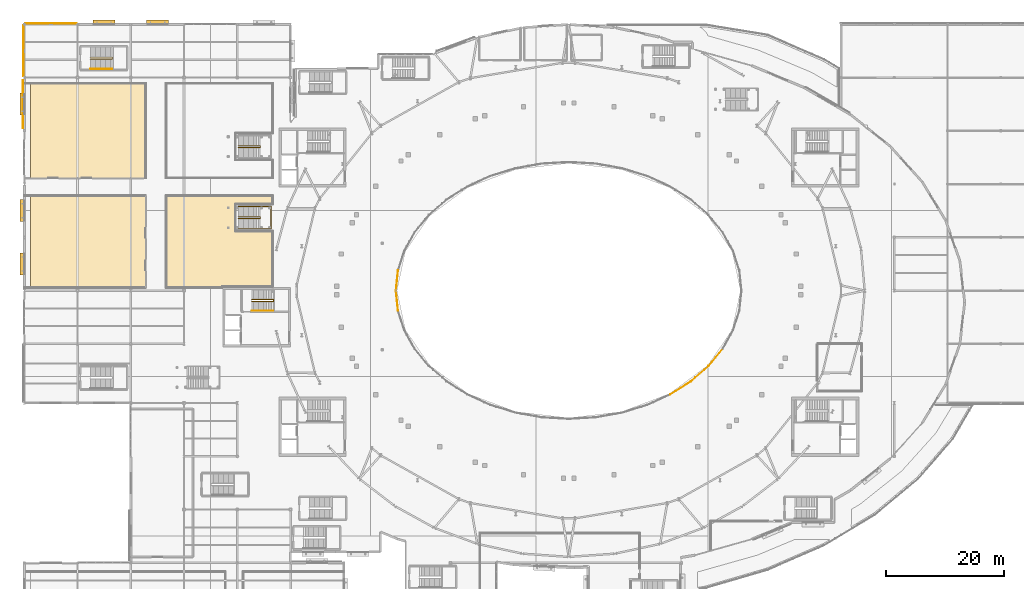
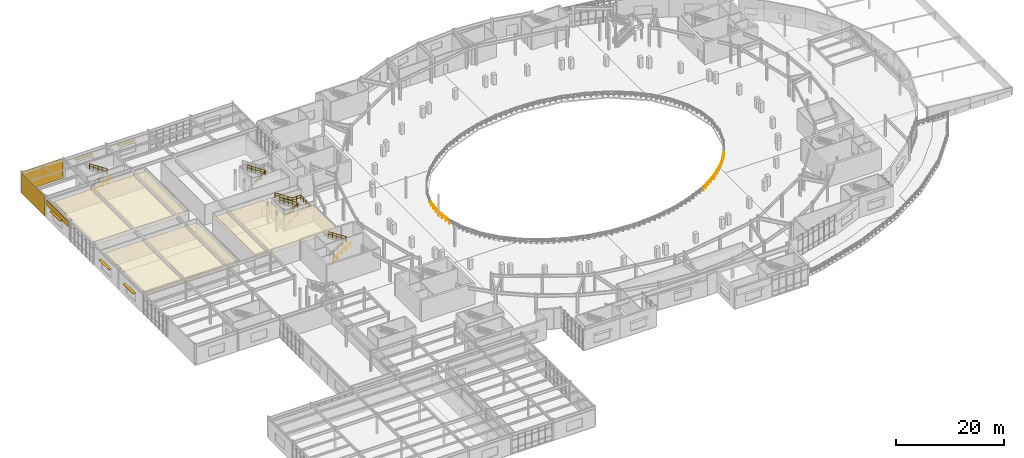
# One storey, part 80 of 84: 12 railings, 6 coverings, 5 shading devices.
"""IFC4 building model written with IfcOpenShell, lengths in metres."""

import ifcopenshell
import ifcopenshell.guid

model = None  # the IFC model being written
_history = None  # IfcOwnerHistory: only IFC2X3 demands one
_inside = {}  # id of a spatial element -> (the spatial element, [elements in it])
_under = {}  # id of a project, library or spatial element -> (it, [spatial elements below it])
_declared = {}  # id of a project -> (the project, [libraries it declares])
_typed = {}  # id of a type object -> (the type object, [elements of that type])
_made_of = {}  # id of a material, layer set ... -> (it, [elements and type objects made of it])


def new_model(schema):
    """Start an empty IFC model of exactly this schema.

    Asked for "IFC4X3", IfcOpenShell would pick the latest addendum, in which some entities
    have other attributes; the version numbers below select the first issue.
    IFC2X3 requires an IfcOwnerHistory on every rooted entity: one is made here for all.
    """
    global model, _history
    if schema == "IFC4X3":
        model = ifcopenshell.file(schema_version=(4, 3, 0, 0))
    else:
        model = ifcopenshell.file(schema=schema)
    _inside.clear()
    _under.clear()
    _declared.clear()
    _typed.clear()
    _made_of.clear()
    _history = None
    if model.schema == "IFC2X3":
        org = make("IfcOrganization", Name="unknown")
        user = make(
            "IfcPersonAndOrganization",
            ThePerson=make("IfcPerson", FamilyName="unknown"),
            TheOrganization=org,
        )
        app = make(
            "IfcApplication",
            ApplicationDeveloper=org,
            Version="unknown",
            ApplicationFullName="unknown",
            ApplicationIdentifier="unknown",
        )
        _history = make(
            "IfcOwnerHistory",
            OwningUser=user,
            OwningApplication=app,
            ChangeAction="ADDED",
            CreationDate=0,
        )
    return model


def make(cls, **values):
    """One entity of the class cls with the attributes given. An attribute that is None is left unset."""
    return model.create_entity(
        cls, **{name: value for name, value in values.items() if value is not None}
    )


def rooted(cls, **values):
    """An entity with a GlobalId (a new one), such as an element, a storey or a relation."""
    return make(cls, GlobalId=ifcopenshell.guid.new(), OwnerHistory=_history, **values)


def si_unit(unit_type, name, prefix=None):
    """IfcSIUnit, for example si_unit("LENGTHUNIT", "METRE", prefix="MILLI")."""
    return make("IfcSIUnit", UnitType=unit_type, Prefix=prefix, Name=name)


def assignment(units):
    """IfcUnitAssignment: the units of a project."""
    return None if units is None else make("IfcUnitAssignment", Units=units)


def point(xyz):
    """IfcCartesianPoint."""
    return None if xyz is None else make("IfcCartesianPoint", Coordinates=xyz)


def direction(xyz):
    """IfcDirection."""
    return None if xyz is None else make("IfcDirection", DirectionRatios=xyz)


def frame(location, z_axis=None, x_axis=None):
    """IfcAxis2Placement3D, a coordinate frame: its origin and axes. An axis left out is left unset."""
    return make(
        "IfcAxis2Placement3D",
        Location=point(location),
        Axis=direction(z_axis),
        RefDirection=direction(x_axis),
    )


def frame_2d(location, x_axis=None):
    """IfcAxis2Placement2D, a coordinate frame in the plane: its origin and x axis."""
    return make(
        "IfcAxis2Placement2D", Location=point(location), RefDirection=direction(x_axis)
    )


def origin():
    """The frame at (0, 0, 0) with its axes left unset."""
    return frame((0.0, 0.0, 0.0))


def origin_2d():
    """The frame at (0, 0) in the plane with its x axis left unset."""
    return frame_2d((0.0, 0.0))


def place(relative_to, where):
    """IfcLocalPlacement: puts the frame where relative to a parent placement (None: the world)."""
    return make(
        "IfcLocalPlacement", PlacementRelTo=relative_to, RelativePlacement=where
    )


def context(
    kind, dimensions, precision=None, world=None, true_north=None, identifier=None
):
    """IfcGeometricRepresentationContext, for example the 3D "Model" context."""
    return make(
        "IfcGeometricRepresentationContext",
        ContextIdentifier=identifier,
        ContextType=kind,
        CoordinateSpaceDimension=dimensions,
        Precision=precision,
        WorldCoordinateSystem=world,
        TrueNorth=true_north,
    )


def subcontext(parent, identifier, kind, view, scale=None):
    """IfcGeometricRepresentationSubContext, for example "Body" below "Model"."""
    return make(
        "IfcGeometricRepresentationSubContext",
        ContextIdentifier=identifier,
        ContextType=kind,
        ParentContext=parent,
        TargetScale=scale,
        TargetView=view,
    )


def project(units=None, contexts=None):
    """IfcProject with its units and contexts."""
    return rooted(
        "IfcProject",
        Name="project",
        RepresentationContexts=contexts,
        UnitsInContext=assignment(units),
    )


def spatial(cls, under=None, at=None, **own):
    """A site, building, storey or space (cls), placed at a placement, below another one or the project."""
    s = rooted(cls, ObjectPlacement=at, **own)
    if under is not None:
        _under.setdefault(under.id(), (under, []))[1].append(s)
    return s


def polyline(points):
    """IfcPolyline through the points."""
    return make("IfcPolyline", Points=[point(p) for p in points])


def profile(cls, at=None, kind="AREA", **sizes):
    """A parametric profile (cls). Its sizes go by their IFC names, for example OverallWidth=200.0."""
    return make(cls, ProfileType=kind, Position=at, **sizes)


def rectangle(**sizes):
    """IfcRectangleProfileDef."""
    return profile("IfcRectangleProfileDef", **sizes)


def circle(**sizes):
    """IfcCircleProfileDef."""
    return profile("IfcCircleProfileDef", **sizes)


def outline(outer, holes=None, kind="AREA"):
    """IfcArbitraryClosedProfileDef: a profile drawn as a closed curve; with holes, ...WithVoids."""
    if holes is None:
        return make("IfcArbitraryClosedProfileDef", ProfileType=kind, OuterCurve=outer)
    return make(
        "IfcArbitraryProfileDefWithVoids",
        ProfileType=kind,
        OuterCurve=outer,
        InnerCurves=holes,
    )


def extrude(swept, where, along, depth):
    """IfcExtrudedAreaSolid: the profile swept, set in the frame where, extruded along a direction by depth."""
    return make(
        "IfcExtrudedAreaSolid",
        SweptArea=swept,
        Position=where,
        ExtrudedDirection=direction(along),
        Depth=depth,
    )


def shape(context_of_items, identifier, shape_type, items):
    """IfcShapeRepresentation: the items that make up one representation, for example the "Body"."""
    return make(
        "IfcShapeRepresentation",
        ContextOfItems=context_of_items,
        RepresentationIdentifier=identifier,
        RepresentationType=shape_type,
        Items=items,
    )


def material(Name=None, Category=None):
    """IfcMaterial."""
    return make("IfcMaterial", Name=Name, Category=Category)


def layer(
    of_material, thickness, ventilated=None, Name=None, Category=None, Priority=None
):
    """IfcMaterialLayer: one layer of a wall or slab, of a material (None: an air gap)."""
    return make(
        "IfcMaterialLayer",
        Material=of_material,
        LayerThickness=thickness,
        IsVentilated=ventilated,
        Name=Name,
        Category=Category,
        Priority=Priority,
    )


def layer_set(layers, Name=None):
    """IfcMaterialLayerSet."""
    return make("IfcMaterialLayerSet", MaterialLayers=layers, LayerSetName=Name)


def made_of(thing, what):
    """Note that an element or type object is made of a material, layer set ...; save() writes the relation."""
    if what is not None:
        _made_of.setdefault(what.id(), (what, []))[1].append(thing)
    return thing


def type_object(cls, material=None, **own):
    """A type object (cls), such as IfcWallType, which elements share."""
    return made_of(rooted(cls, **own), material)


def element(
    cls,
    number,
    at=None,
    inside=None,
    cuts=None,
    type_object=None,
    material=None,
    context=None,
    identifier="Body",
    shape_type=None,
    held_by="IfcProductDefinitionShape",
    body=None,
    shapes=None,
    **own,
):
    """One element of the class cls, such as IfcWall. Its Tag is "e" and its number.

    at: its placement. inside: the storey or other place that contains it. cuts: it is an
    opening in that element (IfcRelVoidsElement). A single representation is given by context,
    identifier, shape_type and body (its items); several are given by shapes. held_by: the class
    of the entity that holds the representations. save() writes the other relations.
    """
    e = rooted(cls, Tag="e%d" % number, ObjectPlacement=at, **own)
    if body is not None:
        shapes = [shape(context, identifier, shape_type, body)]
    if shapes is not None:
        e.Representation = make(held_by, Representations=shapes)
    if inside is not None:
        _inside.setdefault(inside.id(), (inside, []))[1].append(e)
    if cuts is not None:
        rooted(
            "IfcRelVoidsElement", RelatingBuildingElement=cuts, RelatedOpeningElement=e
        )
    if type_object is not None:
        _typed.setdefault(type_object.id(), (type_object, []))[1].append(e)
    return made_of(e, material)


def aggregate(whole, parts):
    """IfcRelAggregates: a whole, such as a stair, and the parts it consists of."""
    return rooted("IfcRelAggregates", RelatingObject=whole, RelatedObjects=parts)


def save(model, path):
    """Write the relations noted so far, then the file.

    IfcRelAggregates (storeys below a building ...), IfcRelContainedInSpatialStructure (elements
    in a storey), IfcRelDefinesByType, IfcRelAssociatesMaterial and IfcRelDeclares: one each for
    every whole, place, type object, material and project.
    """
    for whole, parts in _under.values():
        aggregate(whole, parts)
    for where, things in _inside.values():
        rooted(
            "IfcRelContainedInSpatialStructure",
            RelatedElements=things,
            RelatingStructure=where,
        )
    for kind, things in _typed.values():
        rooted("IfcRelDefinesByType", RelatedObjects=things, RelatingType=kind)
    for what, things in _made_of.values():
        rooted("IfcRelAssociatesMaterial", RelatedObjects=things, RelatingMaterial=what)
    for by, libraries in _declared.values():
        rooted("IfcRelDeclares", RelatingContext=by, RelatedDefinitions=libraries)
    model.write(path)


model = new_model("IFC4")

# Units and contexts
model_context = context("Model", 3, precision=1e-05, world=origin(), true_north=direction((0.0, 1.0)))
body_context = subcontext(model_context, "Body", "Model", "MODEL_VIEW")
ifc_project = project(units=[si_unit("LENGTHUNIT", "METRE"), si_unit("AREAUNIT", "SQUARE_METRE"), si_unit("VOLUMEUNIT", "CUBIC_METRE"), si_unit("PLANEANGLEUNIT", "RADIAN"), si_unit("MASSUNIT", "GRAM", prefix="KILO")], contexts=[model_context])

# Site, building, storey
site_placement = place(None, origin())
site = spatial("IfcSite", under=ifc_project, at=site_placement, CompositionType="ELEMENT")
building_placement = place(site_placement, origin())
building = spatial("IfcBuilding", under=site, at=building_placement, Name="Glasvene Arena", CompositionType="ELEMENT")
storey_placement = place(building_placement, frame((0.0, 0.0, 10.199951171875)))
storey = spatial("IfcBuildingStorey", under=building, at=storey_placement, Name="L02", CompositionType="ELEMENT", Elevation=10.199951171875)

# Coverings
ifc_material_1 = material(Name="Perforated acoustic mineral ceiling tile")
ifc_layer_1 = layer(ifc_material_1, 0.0400390625)
ifc_layer_set_1 = layer_set([ifc_layer_1], Name="Perforated acoustic mineral ceiling tile")
covering_type_1 = type_object("IfcCoveringType", Name="COV-CEIL-AC", PredefinedType="CEILING", material=ifc_layer_set_1)
covering_1_placement = place(storey_placement, frame((10.75, 81.25, 3.580078125)))
element("IfcCovering", 1, at=covering_1_placement, inside=storey, type_object=covering_type_1, Name="Acoustic suspended ceiling Community Learning Classroom 1", PredefinedType="CEILING", context=body_context, shape_type="SweptSolid", body=[
    extrude(outline(polyline([(9.72998046875, 7.72998046875), (9.72998046875, -7.72998046875), (-9.72998046875, -7.72998046875), (-9.72998046875, 7.72998046875), (9.72998046875, 7.72998046875)])), origin(), (0.0, 0.0, 1.0), 0.0400390625),
])
covering_2_placement = place(storey_placement, frame((35.33642578125, 81.826416015625, 3.580078125)))
element("IfcCovering", 2, at=covering_2_placement, inside=storey, type_object=covering_type_1, Name="Acoustic suspended ceiling Community Learning Classroom 2", PredefinedType="CEILING", context=body_context, shape_type="SweptSolid", body=[
    extrude(outline(polyline([(-11.31640625, -8.306396484375), (-11.31640625, 7.153564453125), (6.6435546875, 7.153564453125), (6.6435546875, 5.793701171875), (0.363525390625, 5.793701171875), (0.349365234375, 5.78759765625), (0.343505859375, 5.773681640625), (0.343505859375, 1.2236328125), (0.3525390625, 1.20703125), (6.6435546875, 1.20361328125), (6.6435546875, -8.156494140625), (-1.886474609375, -8.156494140625), (-1.90185546875, -8.163818359375), (-1.906494140625, -8.306396484375), (-11.31640625, -8.306396484375)])), origin(), (0.0, 0.0, 1.0), 0.0400390625),
])
covering_3_placement = place(storey_placement, frame((10.75, 100.0, 3.580078125)))
element("IfcCovering", 3, at=covering_3_placement, inside=storey, type_object=covering_type_1, Name="Acoustic suspended ceiling Community Digital Media Lab", PredefinedType="CEILING", context=body_context, shape_type="SweptSolid", body=[
    extrude(outline(polyline([(9.72998046875, 7.97998046875), (9.72998046875, -7.97998046875), (-9.72998046875, -7.97998046875), (-9.72998046875, 7.97998046875), (9.72998046875, 7.97998046875)])), origin(), (0.0, 0.0, 1.0), 0.0400390625),
])
ifc_material_2 = material(Name="Coursed pale Irish limestone", Category="masonry")
ifc_layer_2 = layer(ifc_material_2, 0.050048828125)
ifc_layer_set_2 = layer_set([ifc_layer_2], Name="Coursed pale Irish limestone")
covering_type_2 = type_object("IfcCoveringType", Name="COV-CLAD-LIM", PredefinedType="CLADDING", material=ifc_layer_set_2)
covering_4_placement = place(storey_placement, frame((-0.199951171875, 104.501708984375, 2.9501953125), z_axis=(0.0, 0.0, 1.0), x_axis=(0.0, 1.0, 0.0)))
element("IfcCovering", 4, at=covering_4_placement, inside=storey, type_object=covering_type_2, Name="Irish limestone spandrel cladding EW-L02-0123", PredefinedType="CLADDING", context=body_context, shape_type="SweptSolid", body=[
    extrude(rectangle(XDim=8.0927734375, YDim=0.050048828125, at=origin_2d()), origin(), (0.0, 0.0, 1.0), 1.215087890625),
])
covering_5_placement = place(storey_placement, frame((-0.139892578125, 113.498291015625, 0.0), z_axis=(0.0, 0.0, 1.0), x_axis=(0.0, 1.0, 0.0)))
element("IfcCovering", 5, at=covering_5_placement, inside=storey, type_object=covering_type_2, Name="Braced bay architectural cladding screen L02-006", PredefinedType="CLADDING", context=body_context, shape_type="SweptSolid", body=[
    extrude(rectangle(XDim=8.6328125, YDim=0.050048828125, at=origin_2d()), origin(), (0.0, 0.0, 1.0), 4.52001953125),
])
covering_6_placement = place(storey_placement, frame((4.526611328125, 118.139892578125, 0.0), z_axis=(0.0, 0.0, 1.0), x_axis=(1.0, 0.0, 0.0)))
element("IfcCovering", 6, at=covering_6_placement, inside=storey, type_object=covering_type_2, Name="Braced bay architectural cladding screen L02-007", PredefinedType="CLADDING", context=body_context, shape_type="SweptSolid", body=[
    extrude(rectangle(XDim=8.682861328125, YDim=0.050048828125, at=origin_2d()), origin(), (0.0, 0.0, 1.0), 4.52001953125),
])

# Railings
ifc_material_3 = material(Name="Brushed stainless steel", Category="steel")
railing_type_1 = type_object("IfcRailingType", Name="RL-GUARD-1100", PredefinedType="GUARDRAIL", material=ifc_material_3)
railing_1_placement = place(storey_placement, frame((38.449951171875, 71.159912109375, 0.0)))
element("IfcRailing", 7, at=railing_1_placement, inside=storey, type_object=railing_type_1, Name="Stair inner well continuous guardrail ST-07-L02", PredefinedType="GUARDRAIL", context=body_context, shape_type="SweptSolid", body=[
    extrude(circle(Radius=0.02392578125, at=origin_2d()), frame((0.0, 0.0, 1.076171875), z_axis=(0.837590697589, 0.0, 0.546298291515), x_axis=(0.0, 1.0, 0.0)), (0.0, 0.0, 1.0), 4.3935546875),
    extrude(circle(Radius=0.01611328125, at=origin_2d()), frame((0.0, 0.0, 0.550048828125), z_axis=(0.837590697589, 0.0, 0.546298291515), x_axis=(0.0, 1.0, 0.0)), (0.0, 0.0, 1.0), 4.3935546875),
    extrude(circle(Radius=0.02392578125, at=origin_2d()), frame((3.679931640625, 0.0, 3.47607421875), z_axis=(0.0, 1.0, 0.0), x_axis=(-1.0, 0.0, 0.0)), (0.0, 0.0, 1.0), 0.330078125),
    extrude(circle(Radius=0.01611328125, at=origin_2d()), frame((3.679931640625, 0.0, 2.9501953125), z_axis=(0.0, 1.0, 0.0), x_axis=(-1.0, 0.0, 0.0)), (0.0, 0.0, 1.0), 0.330078125),
    extrude(circle(Radius=0.02392578125, at=origin_2d()), frame((3.679931640625, 0.330078125, 3.47607421875), z_axis=(-0.837616124378, 0.0, 0.546259304892), x_axis=(0.0, -1.0, 0.0)), (0.0, 0.0, 1.0), 4.393310546875),
    extrude(circle(Radius=0.01611328125, at=origin_2d()), frame((3.679931640625, 0.330078125, 2.9501953125), z_axis=(-0.837616124378, 0.0, 0.546259304892), x_axis=(0.0, -1.0, 0.0)), (0.0, 0.0, 1.0), 4.393310546875),
    extrude(circle(Radius=0.02099609375, at=origin_2d()), origin(), (0.0, 0.0, 1.0), 1.052001953125),
    extrude(circle(Radius=0.02099609375, at=origin_2d()), frame((0.919921875, 0.0, 0.60009765625)), (0.0, 0.0, 1.0), 1.052001953125),
    extrude(circle(Radius=0.02099609375, at=origin_2d()), frame((1.83984375, 0.0, 1.2001953125)), (0.0, 0.0, 1.0), 1.052001953125),
    extrude(circle(Radius=0.02099609375, at=origin_2d()), frame((2.760009765625, 0.0, 1.800048828125)), (0.0, 0.0, 1.0), 1.052001953125),
    extrude(circle(Radius=0.02099609375, at=origin_2d()), frame((3.679931640625, 0.0, 2.400146484375)), (0.0, 0.0, 1.0), 1.052001953125),
    extrude(circle(Radius=0.02099609375, at=origin_2d()), frame((3.679931640625, 0.330078125, 2.400146484375)), (0.0, 0.0, 1.0), 1.052001953125),
    extrude(circle(Radius=0.02099609375, at=origin_2d()), frame((2.760009765625, 0.330078125, 3.0)), (0.0, 0.0, 1.0), 1.052001953125),
    extrude(circle(Radius=0.02099609375, at=origin_2d()), frame((1.83984375, 0.330078125, 3.60009765625)), (0.0, 0.0, 1.0), 1.052001953125),
    extrude(circle(Radius=0.02099609375, at=origin_2d()), frame((0.919921875, 0.330078125, 4.2001953125)), (0.0, 0.0, 1.0), 1.052001953125),
    extrude(circle(Radius=0.02099609375, at=origin_2d()), frame((0.0, 0.330078125, 4.800048828125)), (0.0, 0.0, 1.0), 1.052001953125),
])
railing_2_placement = place(storey_placement, frame((11.199951171875, 112.110107421875, 0.0)))
element("IfcRailing", 8, at=railing_2_placement, inside=storey, type_object=railing_type_1, Name="Stair inner well continuous guardrail ST-14-L02", PredefinedType="GUARDRAIL", context=body_context, shape_type="SweptSolid", body=[
    extrude(circle(Radius=0.02392578125, at=origin_2d()), frame((0.0, 0.0, 1.076171875), z_axis=(0.837590697589, 0.0, 0.546298291515), x_axis=(0.0, 1.0, 0.0)), (0.0, 0.0, 1.0), 4.3935546875),
    extrude(circle(Radius=0.01611328125, at=origin_2d()), frame((0.0, 0.0, 0.550048828125), z_axis=(0.837590697589, 0.0, 0.546298291515), x_axis=(0.0, 1.0, 0.0)), (0.0, 0.0, 1.0), 4.3935546875),
    extrude(circle(Radius=0.02392578125, at=origin_2d()), frame((3.679931640625, 0.0, 3.47607421875), z_axis=(0.0, 1.0, 0.0), x_axis=(-1.0, 0.0, 0.0)), (0.0, 0.0, 1.0), 0.329833984375),
    extrude(circle(Radius=0.01611328125, at=origin_2d()), frame((3.679931640625, 0.0, 2.9501953125), z_axis=(0.0, 1.0, 0.0), x_axis=(-1.0, 0.0, 0.0)), (0.0, 0.0, 1.0), 0.329833984375),
    extrude(circle(Radius=0.02392578125, at=origin_2d()), frame((3.679931640625, 0.329833984375, 3.47607421875), z_axis=(-0.837616124378, 0.0, 0.546259304892), x_axis=(0.0, -1.0, 0.0)), (0.0, 0.0, 1.0), 4.393310546875),
    extrude(circle(Radius=0.01611328125, at=origin_2d()), frame((3.679931640625, 0.329833984375, 2.9501953125), z_axis=(-0.837616124378, 0.0, 0.546259304892), x_axis=(0.0, -1.0, 0.0)), (0.0, 0.0, 1.0), 4.393310546875),
    extrude(circle(Radius=0.02099609375, at=origin_2d()), origin(), (0.0, 0.0, 1.0), 1.052001953125),
    extrude(circle(Radius=0.02099609375, at=origin_2d()), frame((0.919921875, 0.0, 0.60009765625)), (0.0, 0.0, 1.0), 1.052001953125),
    extrude(circle(Radius=0.02099609375, at=origin_2d()), frame((1.83984375, 0.0, 1.2001953125)), (0.0, 0.0, 1.0), 1.052001953125),
    extrude(circle(Radius=0.02099609375, at=origin_2d()), frame((2.760009765625, 0.0, 1.800048828125)), (0.0, 0.0, 1.0), 1.052001953125),
    extrude(circle(Radius=0.02099609375, at=origin_2d()), frame((3.679931640625, 0.0, 2.400146484375)), (0.0, 0.0, 1.0), 1.052001953125),
    extrude(circle(Radius=0.02099609375, at=origin_2d()), frame((3.679931640625, 0.329833984375, 2.400146484375)), (0.0, 0.0, 1.0), 1.052001953125),
    extrude(circle(Radius=0.02099609375, at=origin_2d()), frame((2.760009765625, 0.329833984375, 3.0)), (0.0, 0.0, 1.0), 1.052001953125),
    extrude(circle(Radius=0.02099609375, at=origin_2d()), frame((1.83984375, 0.329833984375, 3.60009765625)), (0.0, 0.0, 1.0), 1.052001953125),
    extrude(circle(Radius=0.02099609375, at=origin_2d()), frame((0.919921875, 0.329833984375, 4.2001953125)), (0.0, 0.0, 1.0), 1.052001953125),
    extrude(circle(Radius=0.02099609375, at=origin_2d()), frame((0.0, 0.329833984375, 4.800048828125)), (0.0, 0.0, 1.0), 1.052001953125),
])
railing_3_placement = place(storey_placement, frame((36.199951171875, 97.159912109375, 0.0)))
element("IfcRailing", 9, at=railing_3_placement, inside=storey, type_object=railing_type_1, Name="Vomitory Stair inner well guard VOM-06", PredefinedType="GUARDRAIL", context=body_context, shape_type="SweptSolid", body=[
    extrude(circle(Radius=0.02392578125, at=origin_2d()), frame((0.0, 0.0, 1.076171875), z_axis=(0.837590697589, 0.0, 0.546298291515), x_axis=(0.0, 1.0, 0.0)), (0.0, 0.0, 1.0), 4.3935546875),
    extrude(circle(Radius=0.01611328125, at=origin_2d()), frame((0.0, 0.0, 0.550048828125), z_axis=(0.837590697589, 0.0, 0.546298291515), x_axis=(0.0, 1.0, 0.0)), (0.0, 0.0, 1.0), 4.3935546875),
    extrude(circle(Radius=0.02392578125, at=origin_2d()), frame((3.679931640625, 0.0, 3.47607421875), z_axis=(0.0, 1.0, 0.0), x_axis=(-1.0, 0.0, 0.0)), (0.0, 0.0, 1.0), 0.330078125),
    extrude(circle(Radius=0.01611328125, at=origin_2d()), frame((3.679931640625, 0.0, 2.9501953125), z_axis=(0.0, 1.0, 0.0), x_axis=(-1.0, 0.0, 0.0)), (0.0, 0.0, 1.0), 0.330078125),
    extrude(circle(Radius=0.02392578125, at=origin_2d()), frame((3.679931640625, 0.330078125, 3.47607421875), z_axis=(-0.837616124378, 0.0, 0.546259304892), x_axis=(0.0, -1.0, 0.0)), (0.0, 0.0, 1.0), 4.393310546875),
    extrude(circle(Radius=0.01611328125, at=origin_2d()), frame((3.679931640625, 0.330078125, 2.9501953125), z_axis=(-0.837616124378, 0.0, 0.546259304892), x_axis=(0.0, -1.0, 0.0)), (0.0, 0.0, 1.0), 4.393310546875),
    extrude(circle(Radius=0.02099609375, at=origin_2d()), origin(), (0.0, 0.0, 1.0), 1.052001953125),
    extrude(circle(Radius=0.02099609375, at=origin_2d()), frame((0.919921875, 0.0, 0.60009765625)), (0.0, 0.0, 1.0), 1.052001953125),
    extrude(circle(Radius=0.02099609375, at=origin_2d()), frame((1.83984375, 0.0, 1.2001953125)), (0.0, 0.0, 1.0), 1.052001953125),
    extrude(circle(Radius=0.02099609375, at=origin_2d()), frame((2.760009765625, 0.0, 1.800048828125)), (0.0, 0.0, 1.0), 1.052001953125),
    extrude(circle(Radius=0.02099609375, at=origin_2d()), frame((3.679931640625, 0.0, 2.400146484375)), (0.0, 0.0, 1.0), 1.052001953125),
    extrude(circle(Radius=0.02099609375, at=origin_2d()), frame((3.679931640625, 0.330078125, 2.400146484375)), (0.0, 0.0, 1.0), 1.052001953125),
    extrude(circle(Radius=0.02099609375, at=origin_2d()), frame((2.760009765625, 0.330078125, 3.0)), (0.0, 0.0, 1.0), 1.052001953125),
    extrude(circle(Radius=0.02099609375, at=origin_2d()), frame((1.83984375, 0.330078125, 3.60009765625)), (0.0, 0.0, 1.0), 1.052001953125),
    extrude(circle(Radius=0.02099609375, at=origin_2d()), frame((0.919921875, 0.330078125, 4.2001953125)), (0.0, 0.0, 1.0), 1.052001953125),
    extrude(circle(Radius=0.02099609375, at=origin_2d()), frame((0.0, 0.330078125, 4.800048828125)), (0.0, 0.0, 1.0), 1.052001953125),
])
railing_4_placement = place(storey_placement, frame((36.199951171875, 83.449951171875, 0.0)))
element("IfcRailing", 10, at=railing_4_placement, inside=storey, type_object=railing_type_1, Name="Vomitory Stair outer guard VOM-07", PredefinedType="GUARDRAIL", context=body_context, shape_type="SweptSolid", body=[
    extrude(circle(Radius=0.02392578125, at=origin_2d()), frame((0.0, 0.0, 1.076171875), z_axis=(0.834856447115, 0.0, 0.55046772177), x_axis=(0.0, 1.0, 0.0)), (0.0, 0.0, 1.0), 4.360107421875),
    extrude(circle(Radius=0.01611328125, at=origin_2d()), frame((0.0, 0.0, 0.550048828125), z_axis=(0.834856447115, 0.0, 0.55046772177), x_axis=(0.0, 1.0, 0.0)), (0.0, 0.0, 1.0), 4.360107421875),
    extrude(circle(Radius=0.02392578125, at=origin_2d()), frame((3.64013671875, 0.0, 3.47607421875), z_axis=(1.0, 0.0, 0.0), x_axis=(0.0, 1.0, 0.0)), (0.0, 0.0, 1.0), 1.849853515625),
    extrude(circle(Radius=0.01611328125, at=origin_2d()), frame((3.64013671875, 0.0, 2.9501953125), z_axis=(1.0, 0.0, 0.0), x_axis=(0.0, 1.0, 0.0)), (0.0, 0.0, 1.0), 1.849853515625),
    extrude(circle(Radius=0.02392578125, at=origin_2d()), frame((5.489990234375, 0.0, 3.47607421875), z_axis=(0.0, 1.0, 0.0), x_axis=(-1.0, 0.0, 0.0)), (0.0, 0.0, 1.0), 3.75),
    extrude(circle(Radius=0.01611328125, at=origin_2d()), frame((5.489990234375, 0.0, 2.9501953125), z_axis=(0.0, 1.0, 0.0), x_axis=(-1.0, 0.0, 0.0)), (0.0, 0.0, 1.0), 3.75),
    extrude(circle(Radius=0.02392578125, at=origin_2d()), frame((5.489990234375, 3.75, 3.47607421875), z_axis=(-1.0, 0.0, 0.0), x_axis=(0.0, -1.0, 0.0)), (0.0, 0.0, 1.0), 1.849853515625),
    extrude(circle(Radius=0.01611328125, at=origin_2d()), frame((5.489990234375, 3.75, 2.9501953125), z_axis=(-1.0, 0.0, 0.0), x_axis=(0.0, -1.0, 0.0)), (0.0, 0.0, 1.0), 1.849853515625),
    extrude(circle(Radius=0.02392578125, at=origin_2d()), frame((3.64013671875, 3.75, 3.47607421875), z_axis=(-0.83488217925, 0.0, 0.55042869363), x_axis=(0.0, -1.0, 0.0)), (0.0, 0.0, 1.0), 4.360107421875),
    extrude(circle(Radius=0.01611328125, at=origin_2d()), frame((3.64013671875, 3.75, 2.9501953125), z_axis=(-0.83488217925, 0.0, 0.55042869363), x_axis=(0.0, -1.0, 0.0)), (0.0, 0.0, 1.0), 4.360107421875),
    extrude(circle(Radius=0.02099609375, at=origin_2d()), origin(), (0.0, 0.0, 1.0), 1.052001953125),
    extrude(circle(Radius=0.02099609375, at=origin_2d()), frame((0.91015625, 0.0, 0.60009765625)), (0.0, 0.0, 1.0), 1.052001953125),
    extrude(circle(Radius=0.02099609375, at=origin_2d()), frame((1.820068359375, 0.0, 1.2001953125)), (0.0, 0.0, 1.0), 1.052001953125),
    extrude(circle(Radius=0.02099609375, at=origin_2d()), frame((2.72998046875, 0.0, 1.800048828125)), (0.0, 0.0, 1.0), 1.052001953125),
    extrude(circle(Radius=0.02099609375, at=origin_2d()), frame((3.64013671875, 0.0, 2.400146484375)), (0.0, 0.0, 1.0), 1.052001953125),
    extrude(circle(Radius=0.02099609375, at=origin_2d()), frame((4.56494140625, 0.0, 2.400146484375)), (0.0, 0.0, 1.0), 1.052001953125),
    extrude(circle(Radius=0.02099609375, at=origin_2d()), frame((5.489990234375, 0.0, 2.400146484375)), (0.0, 0.0, 1.0), 1.052001953125),
    extrude(circle(Radius=0.02099609375, at=origin_2d()), frame((5.489990234375, 0.9375, 2.400146484375)), (0.0, 0.0, 1.0), 1.052001953125),
    extrude(circle(Radius=0.02099609375, at=origin_2d()), frame((5.489990234375, 1.875, 2.400146484375)), (0.0, 0.0, 1.0), 1.052001953125),
    extrude(circle(Radius=0.02099609375, at=origin_2d()), frame((5.489990234375, 2.8125, 2.400146484375)), (0.0, 0.0, 1.0), 1.052001953125),
    extrude(circle(Radius=0.02099609375, at=origin_2d()), frame((5.489990234375, 3.75, 2.400146484375)), (0.0, 0.0, 1.0), 1.052001953125),
    extrude(circle(Radius=0.02099609375, at=origin_2d()), frame((4.56494140625, 3.75, 2.400146484375)), (0.0, 0.0, 1.0), 1.052001953125),
    extrude(circle(Radius=0.02099609375, at=origin_2d()), frame((3.64013671875, 3.75, 2.400146484375)), (0.0, 0.0, 1.0), 1.052001953125),
    extrude(circle(Radius=0.02099609375, at=origin_2d()), frame((2.72998046875, 3.75, 3.0)), (0.0, 0.0, 1.0), 1.052001953125),
    extrude(circle(Radius=0.02099609375, at=origin_2d()), frame((1.820068359375, 3.75, 3.60009765625)), (0.0, 0.0, 1.0), 1.052001953125),
    extrude(circle(Radius=0.02099609375, at=origin_2d()), frame((0.91015625, 3.75, 4.2001953125)), (0.0, 0.0, 1.0), 1.052001953125),
    extrude(circle(Radius=0.02099609375, at=origin_2d()), frame((0.0, 3.75, 4.800048828125)), (0.0, 0.0, 1.0), 1.052001953125),
])
railing_5_placement = place(storey_placement, frame((36.199951171875, 85.159912109375, 0.0)))
element("IfcRailing", 11, at=railing_5_placement, inside=storey, type_object=railing_type_1, Name="Vomitory Stair inner well guard VOM-07", PredefinedType="GUARDRAIL", context=body_context, shape_type="SweptSolid", body=[
    extrude(circle(Radius=0.02392578125, at=origin_2d()), frame((0.0, 0.0, 1.076171875), z_axis=(0.837590697589, 0.0, 0.546298291515), x_axis=(0.0, 1.0, 0.0)), (0.0, 0.0, 1.0), 4.3935546875),
    extrude(circle(Radius=0.01611328125, at=origin_2d()), frame((0.0, 0.0, 0.550048828125), z_axis=(0.837590697589, 0.0, 0.546298291515), x_axis=(0.0, 1.0, 0.0)), (0.0, 0.0, 1.0), 4.3935546875),
    extrude(circle(Radius=0.02392578125, at=origin_2d()), frame((3.679931640625, 0.0, 3.47607421875), z_axis=(0.0, 1.0, 0.0), x_axis=(-1.0, 0.0, 0.0)), (0.0, 0.0, 1.0), 0.330078125),
    extrude(circle(Radius=0.01611328125, at=origin_2d()), frame((3.679931640625, 0.0, 2.9501953125), z_axis=(0.0, 1.0, 0.0), x_axis=(-1.0, 0.0, 0.0)), (0.0, 0.0, 1.0), 0.330078125),
    extrude(circle(Radius=0.02392578125, at=origin_2d()), frame((3.679931640625, 0.330078125, 3.47607421875), z_axis=(-0.837616124378, 0.0, 0.546259304892), x_axis=(0.0, -1.0, 0.0)), (0.0, 0.0, 1.0), 4.393310546875),
    extrude(circle(Radius=0.01611328125, at=origin_2d()), frame((3.679931640625, 0.330078125, 2.9501953125), z_axis=(-0.837616124378, 0.0, 0.546259304892), x_axis=(0.0, -1.0, 0.0)), (0.0, 0.0, 1.0), 4.393310546875),
    extrude(circle(Radius=0.02099609375, at=origin_2d()), origin(), (0.0, 0.0, 1.0), 1.052001953125),
    extrude(circle(Radius=0.02099609375, at=origin_2d()), frame((0.919921875, 0.0, 0.60009765625)), (0.0, 0.0, 1.0), 1.052001953125),
    extrude(circle(Radius=0.02099609375, at=origin_2d()), frame((1.83984375, 0.0, 1.2001953125)), (0.0, 0.0, 1.0), 1.052001953125),
    extrude(circle(Radius=0.02099609375, at=origin_2d()), frame((2.760009765625, 0.0, 1.800048828125)), (0.0, 0.0, 1.0), 1.052001953125),
    extrude(circle(Radius=0.02099609375, at=origin_2d()), frame((3.679931640625, 0.0, 2.400146484375)), (0.0, 0.0, 1.0), 1.052001953125),
    extrude(circle(Radius=0.02099609375, at=origin_2d()), frame((3.679931640625, 0.330078125, 2.400146484375)), (0.0, 0.0, 1.0), 1.052001953125),
    extrude(circle(Radius=0.02099609375, at=origin_2d()), frame((2.760009765625, 0.330078125, 3.0)), (0.0, 0.0, 1.0), 1.052001953125),
    extrude(circle(Radius=0.02099609375, at=origin_2d()), frame((1.83984375, 0.330078125, 3.60009765625)), (0.0, 0.0, 1.0), 1.052001953125),
    extrude(circle(Radius=0.02099609375, at=origin_2d()), frame((0.919921875, 0.330078125, 4.2001953125)), (0.0, 0.0, 1.0), 1.052001953125),
    extrude(circle(Radius=0.02099609375, at=origin_2d()), frame((0.0, 0.330078125, 4.800048828125)), (0.0, 0.0, 1.0), 1.052001953125),
])
railing_6_placement = place(storey_placement, frame((63.159423828125, 76.39453125, 0.0)))
element("IfcRailing", 12, at=railing_6_placement, inside=storey, type_object=railing_type_1, Name="Safety guardrail GD-BWL-L02-020", PredefinedType="GUARDRAIL", context=body_context, shape_type="SweptSolid", body=[
    extrude(circle(Radius=0.02392578125, at=origin_2d()), frame((0.0, 0.0, 1.076171875), z_axis=(-0.10528045623, -0.994442570255, 0.0), x_axis=(0.994442570255, -0.10528045623, 0.0)), (0.0, 0.0, 1.0), 3.41357421875),
    extrude(circle(Radius=0.01611328125, at=origin_2d()), frame((0.0, 0.0, 0.550048828125), z_axis=(-0.10528045623, -0.994442570255, 0.0), x_axis=(0.994442570255, -0.10528045623, 0.0)), (0.0, 0.0, 1.0), 3.41357421875),
    extrude(circle(Radius=0.02099609375, at=origin_2d()), origin(), (0.0, 0.0, 1.0), 1.052001953125),
    extrude(circle(Radius=0.02099609375, at=origin_2d()), frame((-0.119873046875, -1.131591796875, 0.0)), (0.0, 0.0, 1.0), 1.052001953125),
    extrude(circle(Radius=0.02099609375, at=origin_2d()), frame((-0.239501953125, -2.262939453125, 0.0)), (0.0, 0.0, 1.0), 1.052001953125),
    extrude(circle(Radius=0.02099609375, at=origin_2d()), frame((-0.359375, -3.39453125, 0.0)), (0.0, 0.0, 1.0), 1.052001953125),
])
railing_7_placement = place(storey_placement, frame((62.800048828125, 73.0, 0.0)))
element("IfcRailing", 13, at=railing_7_placement, inside=storey, type_object=railing_type_1, Name="Safety guardrail GD-BWL-L02-021", PredefinedType="GUARDRAIL", context=body_context, shape_type="SweptSolid", body=[
    extrude(circle(Radius=0.02392578125, at=origin_2d()), frame((0.0, 0.0, 1.076171875), z_axis=(0.10528045623, -0.994442570255, 0.0), x_axis=(0.994442570255, 0.10528045623, 0.0)), (0.0, 0.0, 1.0), 3.41357421875),
    extrude(circle(Radius=0.01611328125, at=origin_2d()), frame((0.0, 0.0, 0.550048828125), z_axis=(0.10528045623, -0.994442570255, 0.0), x_axis=(0.994442570255, 0.10528045623, 0.0)), (0.0, 0.0, 1.0), 3.41357421875),
    extrude(circle(Radius=0.02099609375, at=origin_2d()), origin(), (0.0, 0.0, 1.0), 1.052001953125),
    extrude(circle(Radius=0.02099609375, at=origin_2d()), frame((0.119873046875, -1.131591796875, 0.0)), (0.0, 0.0, 1.0), 1.052001953125),
    extrude(circle(Radius=0.02099609375, at=origin_2d()), frame((0.239501953125, -2.262939453125, 0.0)), (0.0, 0.0, 1.0), 1.052001953125),
    extrude(circle(Radius=0.02099609375, at=origin_2d()), frame((0.359375, -3.39453125, 0.0)), (0.0, 0.0, 1.0), 1.052001953125),
])
railing_8_placement = place(storey_placement, frame((109.163330078125, 55.4443359375, 0.0)))
element("IfcRailing", 14, at=railing_8_placement, inside=storey, type_object=railing_type_1, Name="Safety guardrail GD-BWL-L02-035", PredefinedType="GUARDRAIL", context=body_context, shape_type="SweptSolid", body=[
    extrude(circle(Radius=0.02392578125, at=origin_2d()), frame((0.0, 0.0, 1.076171875), z_axis=(0.844291843699, 0.535883646572, 0.0), x_axis=(-0.535883646572, 0.844291843699, 0.0)), (0.0, 0.0, 1.0), 4.126708984375),
    extrude(circle(Radius=0.01611328125, at=origin_2d()), frame((0.0, 0.0, 0.550048828125), z_axis=(0.844291843699, 0.535883646572, 0.0), x_axis=(-0.535883646572, 0.844291843699, 0.0)), (0.0, 0.0, 1.0), 4.126708984375),
    extrude(circle(Radius=0.02099609375, at=origin_2d()), origin(), (0.0, 0.0, 1.0), 1.052001953125),
    extrude(circle(Radius=0.02099609375, at=origin_2d()), frame((0.87109375, 0.552734375, 0.0)), (0.0, 0.0, 1.0), 1.052001953125),
    extrude(circle(Radius=0.02099609375, at=origin_2d()), frame((1.7421875, 1.105712890625, 0.0)), (0.0, 0.0, 1.0), 1.052001953125),
    extrude(circle(Radius=0.02099609375, at=origin_2d()), frame((2.613037109375, 1.65869140625, 0.0)), (0.0, 0.0, 1.0), 1.052001953125),
    extrude(circle(Radius=0.02099609375, at=origin_2d()), frame((3.484130859375, 2.21142578125, 0.0)), (0.0, 0.0, 1.0), 1.052001953125),
])
railing_9_placement = place(storey_placement, frame((112.6474609375, 57.65576171875, 0.0)))
element("IfcRailing", 15, at=railing_9_placement, inside=storey, type_object=railing_type_1, Name="Safety guardrail GD-BWL-L02-036", PredefinedType="GUARDRAIL", context=body_context, shape_type="SweptSolid", body=[
    extrude(circle(Radius=0.02392578125, at=origin_2d()), frame((0.0, 0.0, 1.076171875), z_axis=(0.754394959105, 0.656420784007, 0.0), x_axis=(-0.656420784007, 0.754394959105, 0.0)), (0.0, 0.0, 1.0), 3.944580078125),
    extrude(circle(Radius=0.01611328125, at=origin_2d()), frame((0.0, 0.0, 0.550048828125), z_axis=(0.754394959105, 0.656420784007, 0.0), x_axis=(-0.656420784007, 0.754394959105, 0.0)), (0.0, 0.0, 1.0), 3.944580078125),
    extrude(circle(Radius=0.02099609375, at=origin_2d()), origin(), (0.0, 0.0, 1.0), 1.052001953125),
    extrude(circle(Radius=0.02099609375, at=origin_2d()), frame((0.743896484375, 0.6474609375, 0.0)), (0.0, 0.0, 1.0), 1.052001953125),
    extrude(circle(Radius=0.02099609375, at=origin_2d()), frame((1.48779296875, 1.294677734375, 0.0)), (0.0, 0.0, 1.0), 1.052001953125),
    extrude(circle(Radius=0.02099609375, at=origin_2d()), frame((2.23193359375, 1.94189453125, 0.0)), (0.0, 0.0, 1.0), 1.052001953125),
    extrude(circle(Radius=0.02099609375, at=origin_2d()), frame((2.975830078125, 2.58935546875, 0.0)), (0.0, 0.0, 1.0), 1.052001953125),
])
railing_10_placement = place(storey_placement, frame((115.623291015625, 60.2451171875, 0.0)))
element("IfcRailing", 16, at=railing_10_placement, inside=storey, type_object=railing_type_1, Name="Safety guardrail GD-BWL-L02-037", PredefinedType="GUARDRAIL", context=body_context, shape_type="SweptSolid", body=[
    extrude(circle(Radius=0.02392578125, at=origin_2d()), frame((0.0, 0.0, 1.076171875), z_axis=(0.6361937785, 0.771529310006, 0.0), x_axis=(-0.771529310006, 0.6361937785, 0.0)), (0.0, 0.0, 1.0), 3.76318359375),
    extrude(circle(Radius=0.01611328125, at=origin_2d()), frame((0.0, 0.0, 0.550048828125), z_axis=(0.6361937785, 0.771529310006, 0.0), x_axis=(-0.771529310006, 0.6361937785, 0.0)), (0.0, 0.0, 1.0), 3.76318359375),
    extrude(circle(Radius=0.02099609375, at=origin_2d()), origin(), (0.0, 0.0, 1.0), 1.052001953125),
    extrude(circle(Radius=0.02099609375, at=origin_2d()), frame((0.5986328125, 0.725830078125, 0.0)), (0.0, 0.0, 1.0), 1.052001953125),
    extrude(circle(Radius=0.02099609375, at=origin_2d()), frame((1.197021484375, 1.45166015625, 0.0)), (0.0, 0.0, 1.0), 1.052001953125),
    extrude(circle(Radius=0.02099609375, at=origin_2d()), frame((1.79541015625, 2.177490234375, 0.0)), (0.0, 0.0, 1.0), 1.052001953125),
    extrude(circle(Radius=0.02099609375, at=origin_2d()), frame((2.39404296875, 2.9033203125, 0.0)), (0.0, 0.0, 1.0), 1.052001953125),
])
railing_type_2 = type_object("IfcRailingType", Name="RL-HAND-950", PredefinedType="HANDRAIL", material=ifc_material_3)
for number, where, name in (
    (17, (38.449951171875, 69.610107421875, 0.0), "Stair wall handrail ST-07-L02"),
    (18, (11.199951171875, 110.4599609375, 0.0), "Stair wall handrail ST-14-L02"),
):
    element("IfcRailing", number, at=place(storey_placement, frame(where)), inside=storey, type_object=railing_type_2, Name=name, PredefinedType="HANDRAIL", context=body_context, shape_type="SweptSolid", body=[
        extrude(circle(Radius=0.02392578125, at=origin_2d()), frame((0.0, 0.0, 0.92578125), z_axis=(0.834856447115, 0.0, 0.55046772177), x_axis=(0.0, 1.0, 0.0)), (0.0, 0.0, 1.0), 4.360107421875),
        extrude(circle(Radius=0.02099609375, at=origin_2d()), origin(), (0.0, 0.0, 1.0), 0.90185546875),
        extrude(circle(Radius=0.02099609375, at=origin_2d()), frame((0.91015625, 0.0, 0.60009765625)), (0.0, 0.0, 1.0), 0.90185546875),
        extrude(circle(Radius=0.02099609375, at=origin_2d()), frame((1.820068359375, 0.0, 1.2001953125)), (0.0, 0.0, 1.0), 0.90185546875),
        extrude(circle(Radius=0.02099609375, at=origin_2d()), frame((2.72998046875, 0.0, 1.800048828125)), (0.0, 0.0, 1.0), 0.90185546875),
        extrude(circle(Radius=0.02099609375, at=origin_2d()), frame((3.64013671875, 0.0, 2.400146484375)), (0.0, 0.0, 1.0), 0.90185546875),
    ])

# Shading devices
ifc_material_4 = material(Name="Warm bronze architectural aluminium", Category="aluminium")
ifc_layer_3 = layer(ifc_material_4, 0.06005859375)
ifc_layer_set_3 = layer_set([ifc_layer_3], Name="Warm bronze architectural aluminium")
shading_device_type = type_object("IfcShadingDeviceType", Name="SHD-BRONZE-FIN", PredefinedType="USERDEFINED", material=ifc_layer_set_3)
for number, where, z_axis, x_axis, name in (
    (19, (-0.445068359375, 77.498291015625, 2.969970703125), (0.0, 0.0, 1.0), (0.0, 1.0, 0.0), "Warm bronze brise-soleil fin BS-044"),
    (20, (-0.445068359375, 86.501708984375, 2.969970703125), (0.0, 0.0, 1.0), (0.0, 1.0, 0.0), "Warm bronze brise-soleil fin BS-045"),
    (21, (-0.445068359375, 104.501708984375, 2.969970703125), (0.0, 0.0, 1.0), (0.0, 1.0, 0.0), "Warm bronze brise-soleil fin BS-046"),
    (22, (13.473388671875, 118.445068359375, 2.969970703125), (0.0, 0.0, 1.0), (1.0, 0.0, 0.0), "Warm bronze brise-soleil fin BS-047"),
    (23, (22.526611328125, 118.445068359375, 2.969970703125), (0.0, 0.0, 1.0), (1.0, 0.0, 0.0), "Warm bronze brise-soleil fin BS-048"),
):
    element("IfcShadingDevice", number, at=place(storey_placement, frame(where, z_axis=z_axis, x_axis=x_axis)), inside=storey, type_object=shading_device_type, Name=name, ObjectType="BRISE SOLEIL", PredefinedType="USERDEFINED", context=body_context, shape_type="SweptSolid", body=[
        extrude(rectangle(XDim=3.699951171875, YDim=0.550048828125, at=origin_2d()), origin(), (0.0, 0.0, 1.0), 0.06005859375),
    ])

save(model, "model.ifc")
